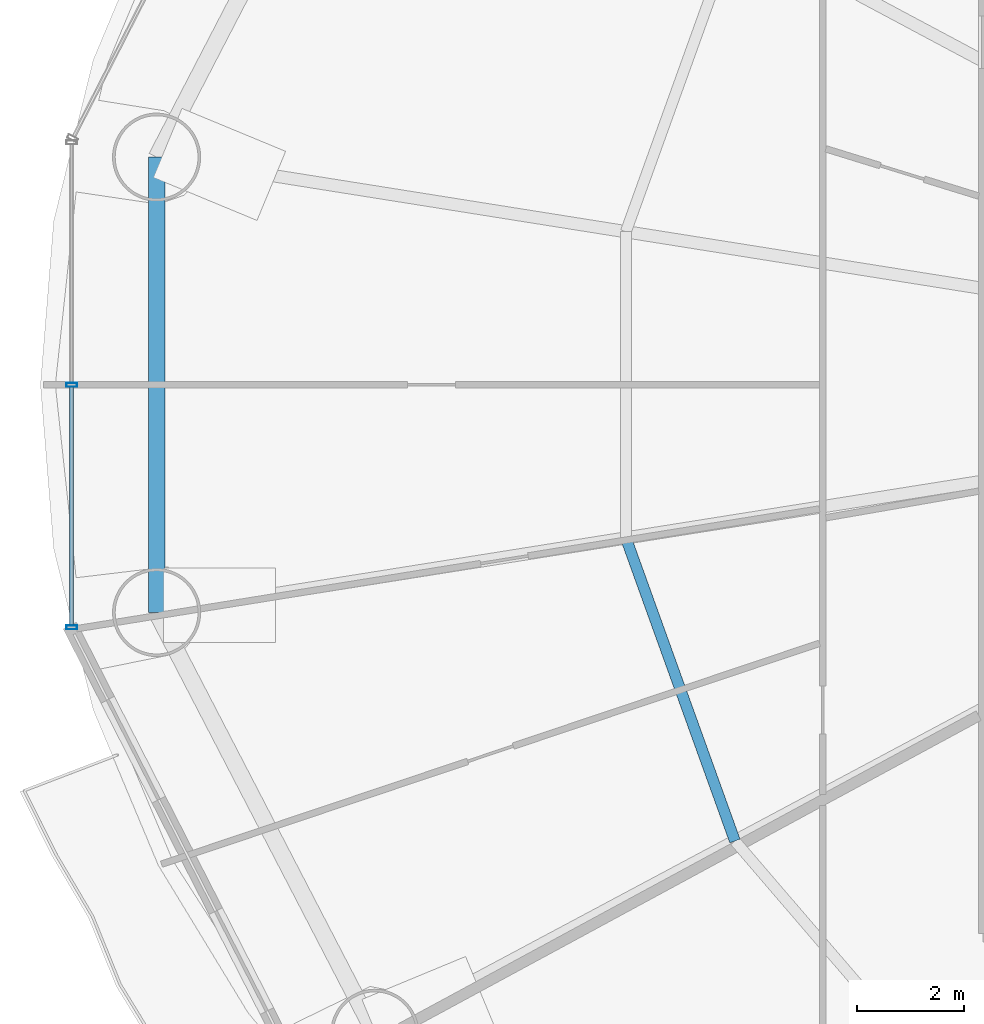
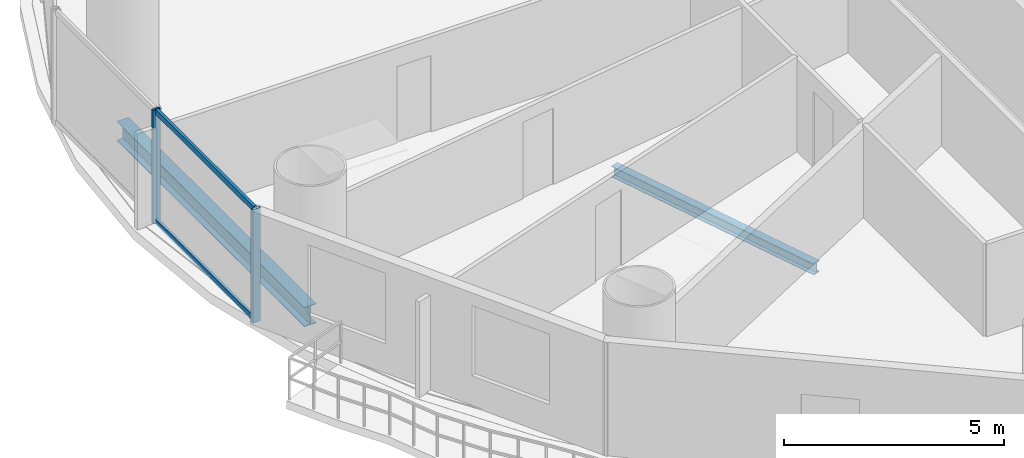
# One storey, part 6 of 29: 4 members, 2 beams, 1 element without a shape of its own.
"""IFC4 building model written with IfcOpenShell, lengths in metres."""

from ifc_helpers import new_model, si_unit, direction, frame, origin, origin_2d, place, context, subcontext, project, spatial, hollow_rectangle, i_section, extrude, source, transform, mapped, material, material_profile, profile_set, type_object, element, aggregate, save


model = new_model("IFC4")

# Units and contexts
model_context = context("Model", 3, precision=1e-05, world=origin(), true_north=direction((-0.2419218956, 0.970295726276)))
body_context = subcontext(model_context, "Body", "Model", "MODEL_VIEW")
ifc_project = project(units=[si_unit("LENGTHUNIT", "METRE"), si_unit("AREAUNIT", "SQUARE_METRE"), si_unit("VOLUMEUNIT", "CUBIC_METRE"), si_unit("PLANEANGLEUNIT", "RADIAN"), si_unit("MASSUNIT", "GRAM", prefix="KILO")], contexts=[model_context])

# Site, building, storey
site_placement = place(None, origin())
site = spatial("IfcSite", under=ifc_project, at=site_placement, CompositionType="ELEMENT")
building_placement = place(site_placement, origin())
building = spatial("IfcBuilding", under=site, at=building_placement, Name="Cobrevalo Terracotta Tower", CompositionType="ELEMENT")
storey_placement = place(building_placement, frame((0.0, 0.0, 70.800048828125)))
storey = spatial("IfcBuildingStorey", under=building, at=storey_placement, Name="L18", CompositionType="ELEMENT", Elevation=70.800048828125)

# Beams
ifc_material_1 = material(Name="Steel S355", Category="steel")
ifc_material_profile_1 = material_profile(ifc_material_1, i_section(OverallWidth=0.2041015625, OverallDepth=0.305908203125, WebThickness=0.008544921875, FlangeThickness=0.0146484375, at=origin_2d()), Name="W 310x67")
ifc_profile_set_1 = profile_set([ifc_material_profile_1], Name="Steel S355")
beam_type_1 = type_object("IfcBeamType", Name="Structural Joist W 310x67 (Steel S355)", PredefinedType="JOIST", material=ifc_profile_set_1)
beam_1_placement = place(storey_placement, frame((19.960205078125, 23.933349609375, -0.43310546875), z_axis=(0.338672151116, -0.940904444701, 0.0), x_axis=(0.940904444701, 0.338672151116, 0.0)))
element("IfcBeam", 1, at=beam_1_placement, inside=storey, type_object=beam_type_1, Name="L18 circumferential secondary floor joist 09", PredefinedType="JOIST", context=body_context, shape_type="SweptSolid", body=[
    extrude(i_section(OverallWidth=0.2041015625, OverallDepth=0.305908203125, WebThickness=0.008544921875, FlangeThickness=0.0146484375, at=origin_2d()), origin(), (0.0, 0.0, 1.0), 6.029296875),
])
ifc_material_profile_2 = material_profile(ifc_material_1, i_section(OverallWidth=0.31201171875, OverallDepth=0.54296875, WebThickness=0.0126953125, FlangeThickness=0.020263671875, at=origin_2d()), Name="W 530x150")
ifc_profile_set_2 = profile_set([ifc_material_profile_2], Name="Steel S355")
beam_type_2 = type_object("IfcBeamType", Name="Structural Spandrel W 530x150 (Steel S355)", PredefinedType="SPANDREL", material=ifc_profile_set_2)
beam_2_placement = place(storey_placement, frame((11.175537109375, 31.062744140625, -0.551513671875), z_axis=(0.0, -1.0, 0.0), x_axis=(1.0, 0.0, 0.0)))
element("IfcBeam", 2, at=beam_2_placement, inside=storey, type_object=beam_type_2, Name="L18 perimeter ring spandrel 08", PredefinedType="SPANDREL", context=body_context, shape_type="SweptSolid", body=[
    extrude(i_section(OverallWidth=0.31201171875, OverallDepth=0.54296875, WebThickness=0.0126953125, FlangeThickness=0.020263671875, at=origin_2d()), origin(), (0.0, 0.0, 1.0), 8.525390625),
])

# Curtain wall, members
ifc_material_2 = material(Name="Anodized aluminium", Category="aluminium")
curtain_wall_type = type_object("IfcCurtainWallType", Name="Lower-tower unitised acoustic low-E curtain wall CW-U1", PredefinedType="NOTDEFINED", material=ifc_material_2)
curtain_wall_placement = place(storey_placement, origin())
curtain_wall = element("IfcCurtainWall", 3, at=curtain_wall_placement, inside=storey, type_object=curtain_wall_type, Name="L18 curtain wall CW-L18-S08", PredefinedType="NOTDEFINED")
ifc_material_profile_3 = material_profile(ifc_material_2, hollow_rectangle(XDim=0.074951171875, YDim=0.14990234375, WallThickness=0.00439453125, at=origin_2d()), Name="CWT 75x150")
ifc_profile_set_3 = profile_set([ifc_material_profile_3], Name="Anodized aluminium")
member_type_1 = type_object("IfcMemberType", Name="Tower unitised aluminium transom 75x150", PredefinedType="USERDEFINED", material=ifc_profile_set_3)
shared_shape_1 = source(origin(), body_context, "Body", "SweptSolid", [
    extrude(hollow_rectangle(XDim=0.074951171875, YDim=0.14990234375, WallThickness=0.00439453125, at=origin_2d()), origin(), (0.0, 0.0, 1.0), 4.458740234375),
])
member_1_placement = place(storey_placement, frame((9.586669921875, 26.760009765625, 0.050048828125), z_axis=(0.0, -1.0, 0.0), x_axis=(1.0, 0.0, 0.0)))
member_1 = element("IfcMember", 4, at=member_1_placement, type_object=member_type_1, Name="CW-L18-S08 transom B02-T1", ObjectType="TRANSOM", PredefinedType="USERDEFINED", context=body_context, shape_type="MappedRepresentation", body=[
    mapped(shared_shape_1, transform((0.0, 0.0, 0.0), scale=1.0)),
])
member_2_placement = place(storey_placement, frame((9.586669921875, 26.760009765625, 3.099853515625), z_axis=(0.0, -1.0, 0.0), x_axis=(1.0, 0.0, 0.0)))
member_2 = element("IfcMember", 5, at=member_2_placement, type_object=member_type_1, Name="CW-L18-S08 transom B02-T2", ObjectType="TRANSOM", PredefinedType="USERDEFINED", context=body_context, shape_type="MappedRepresentation", body=[
    mapped(shared_shape_1, transform((0.0, 0.0, 0.0), scale=1.0)),
])
ifc_material_profile_4 = material_profile(ifc_material_2, hollow_rectangle(XDim=0.074951171875, YDim=0.199951171875, WallThickness=0.0048828125, at=origin_2d()), Name="CWM 75x200")
ifc_profile_set_4 = profile_set([ifc_material_profile_4], Name="Anodized aluminium")
member_type_2 = type_object("IfcMemberType", Name="Lower/mid tower unitised mullion 75x200", PredefinedType="MULLION", material=ifc_profile_set_4)
shared_shape_2 = source(origin(), body_context, "Body", "SweptSolid", [
    extrude(hollow_rectangle(XDim=0.074951171875, YDim=0.199951171875, WallThickness=0.0048828125, at=origin_2d()), origin(), (0.0, 0.0, 1.0), 3.14990234375),
])
member_3_placement = place(storey_placement, frame((9.586669921875, 26.800048828125, 0.0), z_axis=(0.0, 0.0, 1.0), x_axis=(0.0, -1.0, 0.0)))
member_3 = element("IfcMember", 6, at=member_3_placement, type_object=member_type_2, Name="CW-L18-S08 vertical mullion 02", PredefinedType="MULLION", context=body_context, shape_type="MappedRepresentation", body=[
    mapped(shared_shape_2, transform((0.0, 0.0, 0.0), scale=1.0)),
])
member_4_placement = place(storey_placement, frame((9.586669921875, 22.26123046875, 0.0), z_axis=(0.0, 0.0, 1.0), x_axis=(0.0, -1.0, 0.0)))
member_4 = element("IfcMember", 7, at=member_4_placement, type_object=member_type_2, Name="CW-L18-S08 vertical mullion 03", PredefinedType="MULLION", context=body_context, shape_type="MappedRepresentation", body=[
    mapped(shared_shape_2, transform((0.0, 0.0, 0.0), scale=1.0)),
])
aggregate(curtain_wall, [member_3, member_4, member_1, member_2])

save(model, "model.ifc")
